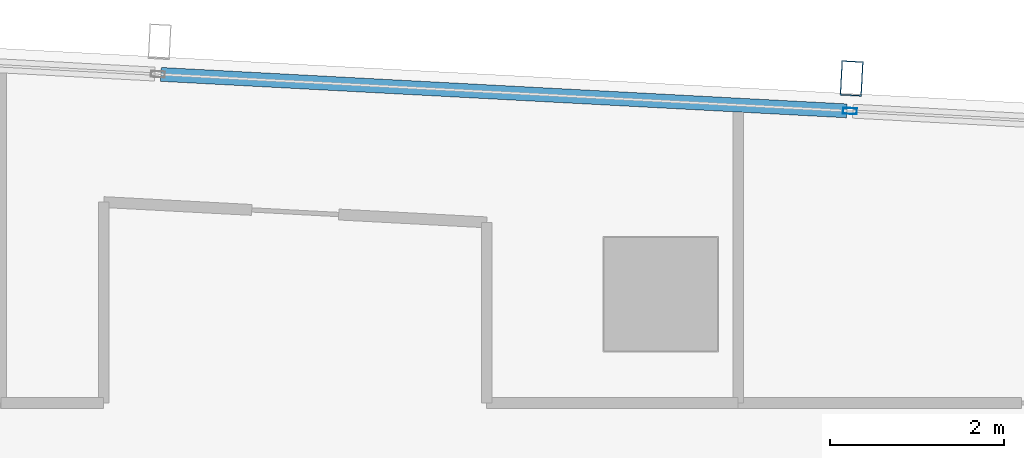
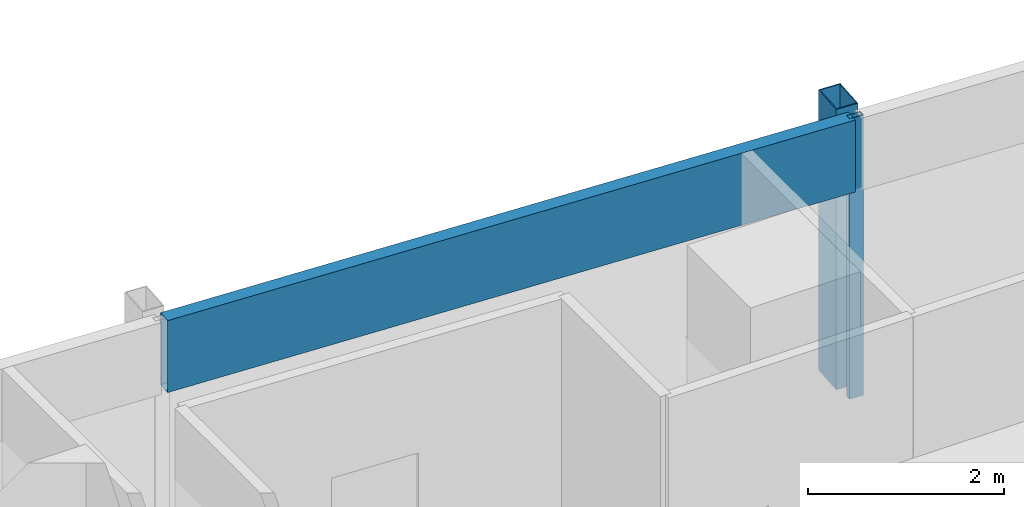
# One storey, part 18 of 29: 3 members, 1 element without a shape of its own.
"""IFC4 building model written with IfcOpenShell, lengths in metres."""

import ifcopenshell
import ifcopenshell.guid

model = None  # the IFC model being written
_history = None  # IfcOwnerHistory: only IFC2X3 demands one
_inside = {}  # id of a spatial element -> (the spatial element, [elements in it])
_under = {}  # id of a project, library or spatial element -> (it, [spatial elements below it])
_declared = {}  # id of a project -> (the project, [libraries it declares])
_typed = {}  # id of a type object -> (the type object, [elements of that type])
_made_of = {}  # id of a material, layer set ... -> (it, [elements and type objects made of it])


def new_model(schema):
    """Start an empty IFC model of exactly this schema.

    Asked for "IFC4X3", IfcOpenShell would pick the latest addendum, in which some entities
    have other attributes; the version numbers below select the first issue.
    IFC2X3 requires an IfcOwnerHistory on every rooted entity: one is made here for all.
    """
    global model, _history
    if schema == "IFC4X3":
        model = ifcopenshell.file(schema_version=(4, 3, 0, 0))
    else:
        model = ifcopenshell.file(schema=schema)
    _inside.clear()
    _under.clear()
    _declared.clear()
    _typed.clear()
    _made_of.clear()
    _history = None
    if model.schema == "IFC2X3":
        org = make("IfcOrganization", Name="unknown")
        user = make(
            "IfcPersonAndOrganization",
            ThePerson=make("IfcPerson", FamilyName="unknown"),
            TheOrganization=org,
        )
        app = make(
            "IfcApplication",
            ApplicationDeveloper=org,
            Version="unknown",
            ApplicationFullName="unknown",
            ApplicationIdentifier="unknown",
        )
        _history = make(
            "IfcOwnerHistory",
            OwningUser=user,
            OwningApplication=app,
            ChangeAction="ADDED",
            CreationDate=0,
        )
    return model


def make(cls, **values):
    """One entity of the class cls with the attributes given. An attribute that is None is left unset."""
    return model.create_entity(
        cls, **{name: value for name, value in values.items() if value is not None}
    )


def rooted(cls, **values):
    """An entity with a GlobalId (a new one), such as an element, a storey or a relation."""
    return make(cls, GlobalId=ifcopenshell.guid.new(), OwnerHistory=_history, **values)


def si_unit(unit_type, name, prefix=None):
    """IfcSIUnit, for example si_unit("LENGTHUNIT", "METRE", prefix="MILLI")."""
    return make("IfcSIUnit", UnitType=unit_type, Prefix=prefix, Name=name)


def assignment(units):
    """IfcUnitAssignment: the units of a project."""
    return None if units is None else make("IfcUnitAssignment", Units=units)


def point(xyz):
    """IfcCartesianPoint."""
    return None if xyz is None else make("IfcCartesianPoint", Coordinates=xyz)


def direction(xyz):
    """IfcDirection."""
    return None if xyz is None else make("IfcDirection", DirectionRatios=xyz)


def frame(location, z_axis=None, x_axis=None):
    """IfcAxis2Placement3D, a coordinate frame: its origin and axes. An axis left out is left unset."""
    return make(
        "IfcAxis2Placement3D",
        Location=point(location),
        Axis=direction(z_axis),
        RefDirection=direction(x_axis),
    )


def frame_2d(location, x_axis=None):
    """IfcAxis2Placement2D, a coordinate frame in the plane: its origin and x axis."""
    return make(
        "IfcAxis2Placement2D", Location=point(location), RefDirection=direction(x_axis)
    )


def origin():
    """The frame at (0, 0, 0) with its axes left unset."""
    return frame((0.0, 0.0, 0.0))


def origin_2d():
    """The frame at (0, 0) in the plane with its x axis left unset."""
    return frame_2d((0.0, 0.0))


def place(relative_to, where):
    """IfcLocalPlacement: puts the frame where relative to a parent placement (None: the world)."""
    return make(
        "IfcLocalPlacement", PlacementRelTo=relative_to, RelativePlacement=where
    )


def context(
    kind, dimensions, precision=None, world=None, true_north=None, identifier=None
):
    """IfcGeometricRepresentationContext, for example the 3D "Model" context."""
    return make(
        "IfcGeometricRepresentationContext",
        ContextIdentifier=identifier,
        ContextType=kind,
        CoordinateSpaceDimension=dimensions,
        Precision=precision,
        WorldCoordinateSystem=world,
        TrueNorth=true_north,
    )


def subcontext(parent, identifier, kind, view, scale=None):
    """IfcGeometricRepresentationSubContext, for example "Body" below "Model"."""
    return make(
        "IfcGeometricRepresentationSubContext",
        ContextIdentifier=identifier,
        ContextType=kind,
        ParentContext=parent,
        TargetScale=scale,
        TargetView=view,
    )


def project(units=None, contexts=None):
    """IfcProject with its units and contexts."""
    return rooted(
        "IfcProject",
        Name="project",
        RepresentationContexts=contexts,
        UnitsInContext=assignment(units),
    )


def spatial(cls, under=None, at=None, **own):
    """A site, building, storey or space (cls), placed at a placement, below another one or the project."""
    s = rooted(cls, ObjectPlacement=at, **own)
    if under is not None:
        _under.setdefault(under.id(), (under, []))[1].append(s)
    return s


def profile(cls, at=None, kind="AREA", **sizes):
    """A parametric profile (cls). Its sizes go by their IFC names, for example OverallWidth=200.0."""
    return make(cls, ProfileType=kind, Position=at, **sizes)


def hollow_rectangle(**sizes):
    """IfcRectangleHollowProfileDef."""
    return profile("IfcRectangleHollowProfileDef", **sizes)


def extrude(swept, where, along, depth):
    """IfcExtrudedAreaSolid: the profile swept, set in the frame where, extruded along a direction by depth."""
    return make(
        "IfcExtrudedAreaSolid",
        SweptArea=swept,
        Position=where,
        ExtrudedDirection=direction(along),
        Depth=depth,
    )


def shape(context_of_items, identifier, shape_type, items):
    """IfcShapeRepresentation: the items that make up one representation, for example the "Body"."""
    return make(
        "IfcShapeRepresentation",
        ContextOfItems=context_of_items,
        RepresentationIdentifier=identifier,
        RepresentationType=shape_type,
        Items=items,
    )


def material(Name=None, Category=None):
    """IfcMaterial."""
    return make("IfcMaterial", Name=Name, Category=Category)


def material_profile(
    of_material, cross_section, Name=None, Category=None, Priority=None
):
    """IfcMaterialProfile: a cross section and its material."""
    return make(
        "IfcMaterialProfile",
        Name=Name,
        Material=of_material,
        Profile=cross_section,
        Priority=Priority,
        Category=Category,
    )


def profile_set(profiles, Name=None, composite=None):
    """IfcMaterialProfileSet."""
    return make(
        "IfcMaterialProfileSet",
        Name=Name,
        MaterialProfiles=profiles,
        CompositeProfile=composite,
    )


def made_of(thing, what):
    """Note that an element or type object is made of a material, layer set ...; save() writes the relation."""
    if what is not None:
        _made_of.setdefault(what.id(), (what, []))[1].append(thing)
    return thing


def type_object(cls, material=None, **own):
    """A type object (cls), such as IfcWallType, which elements share."""
    return made_of(rooted(cls, **own), material)


def element(
    cls,
    number,
    at=None,
    inside=None,
    cuts=None,
    type_object=None,
    material=None,
    context=None,
    identifier="Body",
    shape_type=None,
    held_by="IfcProductDefinitionShape",
    body=None,
    shapes=None,
    **own,
):
    """One element of the class cls, such as IfcWall. Its Tag is "e" and its number.

    at: its placement. inside: the storey or other place that contains it. cuts: it is an
    opening in that element (IfcRelVoidsElement). A single representation is given by context,
    identifier, shape_type and body (its items); several are given by shapes. held_by: the class
    of the entity that holds the representations. save() writes the other relations.
    """
    e = rooted(cls, Tag="e%d" % number, ObjectPlacement=at, **own)
    if body is not None:
        shapes = [shape(context, identifier, shape_type, body)]
    if shapes is not None:
        e.Representation = make(held_by, Representations=shapes)
    if inside is not None:
        _inside.setdefault(inside.id(), (inside, []))[1].append(e)
    if cuts is not None:
        rooted(
            "IfcRelVoidsElement", RelatingBuildingElement=cuts, RelatedOpeningElement=e
        )
    if type_object is not None:
        _typed.setdefault(type_object.id(), (type_object, []))[1].append(e)
    return made_of(e, material)


def aggregate(whole, parts):
    """IfcRelAggregates: a whole, such as a stair, and the parts it consists of."""
    return rooted("IfcRelAggregates", RelatingObject=whole, RelatedObjects=parts)


def save(model, path):
    """Write the relations noted so far, then the file.

    IfcRelAggregates (storeys below a building ...), IfcRelContainedInSpatialStructure (elements
    in a storey), IfcRelDefinesByType, IfcRelAssociatesMaterial and IfcRelDeclares: one each for
    every whole, place, type object, material and project.
    """
    for whole, parts in _under.values():
        aggregate(whole, parts)
    for where, things in _inside.values():
        rooted(
            "IfcRelContainedInSpatialStructure",
            RelatedElements=things,
            RelatingStructure=where,
        )
    for kind, things in _typed.values():
        rooted("IfcRelDefinesByType", RelatedObjects=things, RelatingType=kind)
    for what, things in _made_of.values():
        rooted("IfcRelAssociatesMaterial", RelatedObjects=things, RelatingMaterial=what)
    for by, libraries in _declared.values():
        rooted("IfcRelDeclares", RelatingContext=by, RelatedDefinitions=libraries)
    model.write(path)


model = new_model("IFC4")

# Units and contexts
model_context = context("Model", 3, precision=1e-05, world=origin(), true_north=direction((0.0, 1.0)))
body_context = subcontext(model_context, "Body", "Model", "MODEL_VIEW")
ifc_project = project(units=[si_unit("LENGTHUNIT", "METRE"), si_unit("AREAUNIT", "SQUARE_METRE"), si_unit("VOLUMEUNIT", "CUBIC_METRE"), si_unit("PLANEANGLEUNIT", "RADIAN"), si_unit("MASSUNIT", "GRAM", prefix="KILO")], contexts=[model_context])

# Site, building, storey
site_placement = place(None, origin())
site = spatial("IfcSite", under=ifc_project, at=site_placement, CompositionType="ELEMENT")
building_placement = place(site_placement, origin())
building = spatial("IfcBuilding", under=site, at=building_placement, Name="Rekha Terrace Tower", CompositionType="ELEMENT")
storey_placement = place(building_placement, frame((0.0, 0.0, 257.60009765625)))
storey = spatial("IfcBuildingStorey", under=building, at=storey_placement, Name="L65", CompositionType="ELEMENT", Elevation=257.60009765625)

# Curtain wall, members
ifc_material_1 = material(Name="Aluminium framing", Category="aluminium")
curtain_wall_type = type_object("IfcCurtainWallType", Name="CW3 north unitised glazing", PredefinedType="USERDEFINED", material=ifc_material_1)
curtain_wall_placement = place(storey_placement, origin())
curtain_wall = element("IfcCurtainWall", 1, at=curtain_wall_placement, inside=storey, type_object=curtain_wall_type, Name="CW3 unitised curtain wall", ObjectType="UNITISED CURTAIN WALL", PredefinedType="USERDEFINED")
ifc_material_2 = material(Name="Steel S355 with fluorocarbon finish", Category="steel")
ifc_material_profile_1 = material_profile(ifc_material_2, hollow_rectangle(XDim=0.25, YDim=0.39990234375, WallThickness=0.012451171875, at=origin_2d()), Name="RHS400x250x12.5")
ifc_profile_set_1 = profile_set([ifc_material_profile_1], Name="Steel S355 with fluorocarbon finish")
member_type_1 = type_object("IfcMemberType", Name="BL1 facade blade RHS 400 x 250", PredefinedType="USERDEFINED", material=ifc_profile_set_1)
member_1_placement = place(storey_placement, frame((44.192626953125, 52.87890625, 0.0), z_axis=(0.0, 0.0, 1.0), x_axis=(-0.998590068481, 0.053083661621, 0.0)))
member_1 = element("IfcMember", 2, at=member_1_placement, type_object=member_type_1, Name="Facade blade", ObjectType="FACADE BLADE", PredefinedType="USERDEFINED", context=body_context, shape_type="SweptSolid", body=[
    extrude(hollow_rectangle(XDim=0.25, YDim=0.39990234375, WallThickness=0.012451171875, at=origin_2d()), origin(), (0.0, 0.0, 1.0), 3.5),
])
ifc_material_3 = material(Name="Aluminium mullion section", Category="aluminium")
ifc_material_profile_2 = material_profile(ifc_material_3, hollow_rectangle(XDim=0.070068359375, YDim=0.159912109375, WallThickness=0.00390625, at=origin_2d()), Name="AL RHS 70x160")
ifc_profile_set_2 = profile_set([ifc_material_profile_2], Name="Aluminium mullion section")
member_type_2 = type_object("IfcMemberType", Name="CW3 mullion RHS 70 x 160", PredefinedType="MULLION", material=ifc_profile_set_2)
member_2_placement = place(storey_placement, frame((44.1728515625, 52.50439453125, 0.0), z_axis=(0.0, 0.0, 1.0), x_axis=(-0.053083275524, -0.998590089005, 0.0)))
member_2 = element("IfcMember", 3, at=member_2_placement, type_object=member_type_2, Name="CW3 mullion 3", PredefinedType="MULLION", context=body_context, shape_type="SweptSolid", body=[
    extrude(hollow_rectangle(XDim=0.070068359375, YDim=0.159912109375, WallThickness=0.00390625, at=origin_2d()), origin(), (0.0, 0.0, 1.0), 3.5),
])
ifc_material_4 = material(Name="Insulated aluminium spandrel box", Category="aluminium")
ifc_material_profile_3 = material_profile(ifc_material_4, hollow_rectangle(XDim=0.159912109375, YDim=0.89990234375, WallThickness=0.0029296875, at=origin_2d()), Name="AL SPANDREL BOX 160x900")
ifc_profile_set_3 = profile_set([ifc_material_profile_3], Name="Insulated aluminium spandrel box")
member_type_3 = type_object("IfcMemberType", Name="CW3 spandrel transom 160 x 900", PredefinedType="USERDEFINED", material=ifc_profile_set_3)
member_3_placement = place(storey_placement, frame((44.137939453125, 52.506103515625, 3.0498046875), z_axis=(-0.998589828491, 0.053088176024, 0.0), x_axis=(-0.053088176024, -0.998589828491, 0.0)))
member_3 = element("IfcMember", 4, at=member_3_placement, type_object=member_type_3, Name="CW3 spandrel transom 3", ObjectType="TRANSOM", PredefinedType="USERDEFINED", context=body_context, shape_type="SweptSolid", body=[
    extrude(hollow_rectangle(XDim=0.159912109375, YDim=0.89990234375, WallThickness=0.0029296875, at=origin_2d()), origin(), (0.0, 0.0, 1.0), 7.8916015625),
])
aggregate(curtain_wall, [member_2, member_3, member_1])

save(model, "model.ifc")
